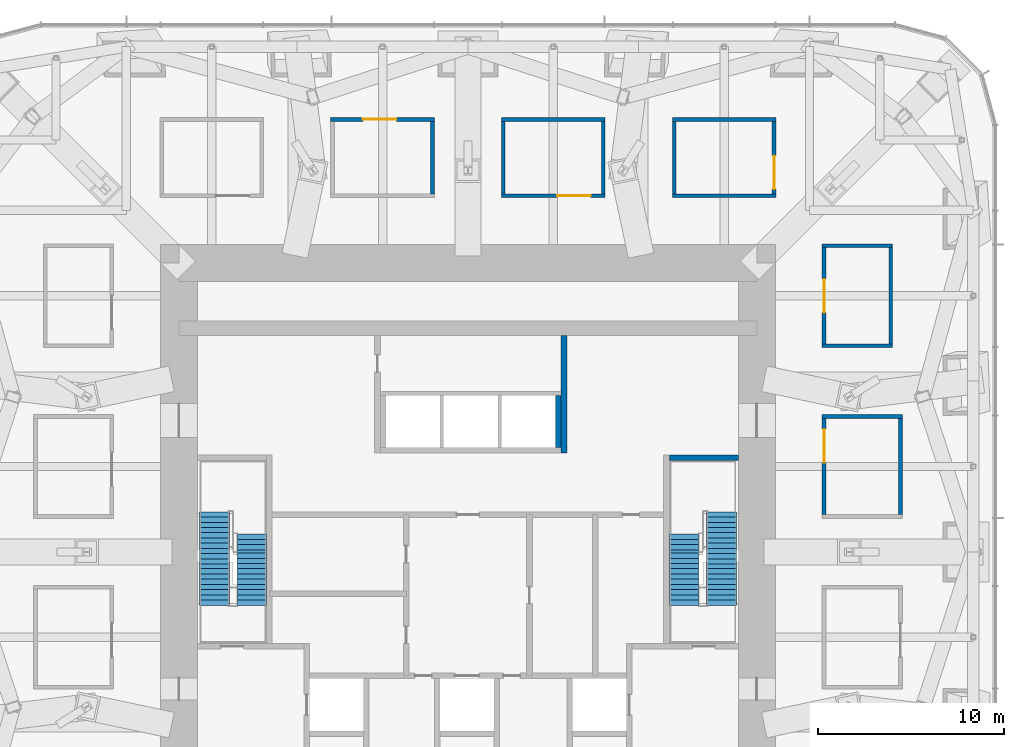
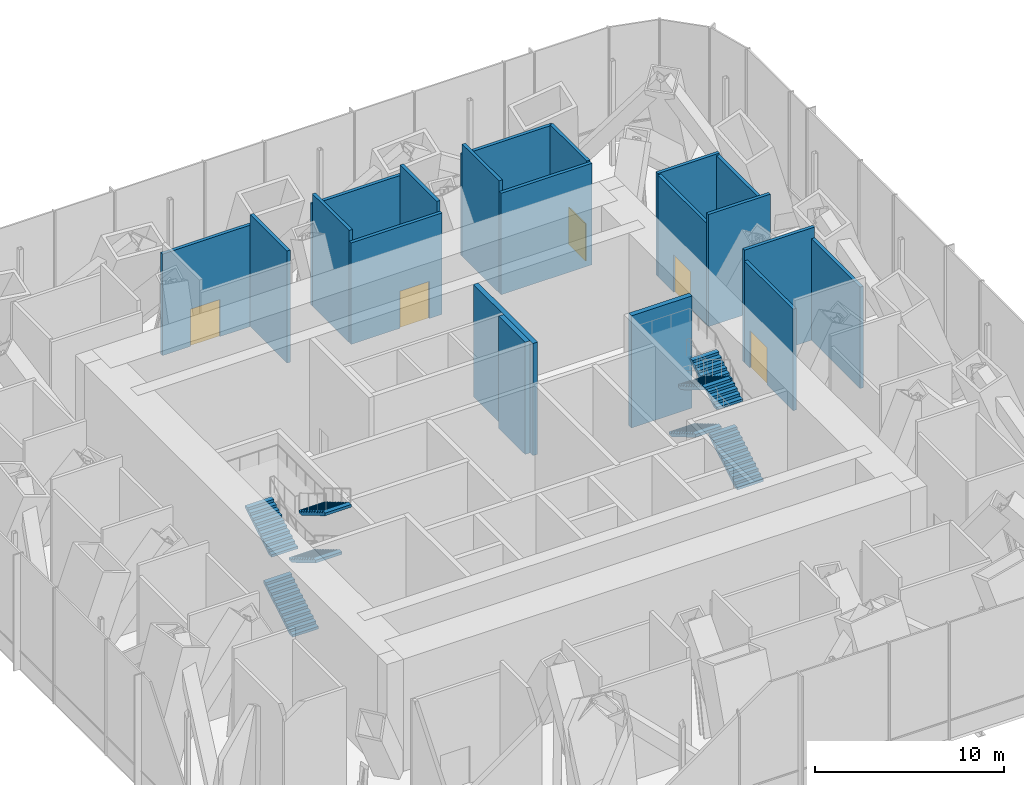
# One storey, part 14 of 16: 20 walls, 8 stair flights, 5 doors, 5 openings, 2 elements without a shape of their own.
"""IFC4 building model written with IfcOpenShell, lengths in metres."""

from ifc_helpers import new_model, si_unit, direction, frame, frame_2d, origin, place, context, subcontext, project, spatial, polyline, rectangle, outline, extrude, material, layer, layer_set, type_object, element, fill, aggregate, save


model = new_model("IFC4")

# Units and contexts
model_context = context("Model", 3, precision=1e-05, world=origin(), true_north=direction((0.0, 1.0)))
body_context = subcontext(model_context, "Body", "Model", "MODEL_VIEW")
ifc_project = project(units=[si_unit("LENGTHUNIT", "METRE"), si_unit("AREAUNIT", "SQUARE_METRE"), si_unit("VOLUMEUNIT", "CUBIC_METRE"), si_unit("PLANEANGLEUNIT", "RADIAN"), si_unit("MASSUNIT", "GRAM", prefix="KILO")], contexts=[model_context])

# Site, building, storey
site_placement = place(None, origin())
site = spatial("IfcSite", under=ifc_project, at=site_placement, CompositionType="ELEMENT")
building_placement = place(site_placement, origin())
building = spatial("IfcBuilding", under=site, at=building_placement, Name="Khuree Lantern Residences", CompositionType="ELEMENT")
storey_placement = place(building_placement, frame((0.0, 0.0, 192.0)))
storey = spatial("IfcBuildingStorey", under=building, at=storey_placement, Name="L48", CompositionType="ELEMENT", Elevation=192.0)

# Walls
ifc_material_1 = material(Name="Dense concrete blockwork", Category="masonry")
ifc_layer_1 = layer(ifc_material_1, 0.300048828125)
ifc_layer_set_1 = layer_set([ifc_layer_1], Name="CORE PARTITION WALL CPW300 EI 120")
wall_type_1 = type_object("IfcWallType", Name="CORE PARTITION WALL CPW300 EI 120", PredefinedType="PARTITIONING", material=ifc_layer_set_1)
wall_1_placement = place(storey_placement, frame((4.85009765625, 5.60009765625, 0.0), z_axis=(0.0, 0.0, 1.0), x_axis=(0.0, 1.0, 0.0)))
element("IfcWall", 1, at=wall_1_placement, inside=storey, type_object=wall_type_1, Name="L48 CORE WALL PHE", PredefinedType="PARTITIONING", context=body_context, shape_type="SweptSolid", body=[
    extrude(rectangle(XDim=2.7998046875, YDim=0.300048828125, at=frame_2d((1.39990234375, 0.0))), origin(), (0.0, 0.0, 1.0), 7.25),
])
wall_2_placement = place(storey_placement, frame((5.14990234375, 5.300048828125, 0.0), z_axis=(0.0, 0.0, 1.0), x_axis=(0.0, 1.0, 0.0)))
element("IfcWall", 2, at=wall_2_placement, inside=storey, type_object=wall_type_1, Name="L48 CORE WALL NE", PredefinedType="PARTITIONING", context=body_context, shape_type="SweptSolid", body=[
    extrude(rectangle(XDim=6.300048828125, YDim=0.300048828125, at=frame_2d((3.14990234375, 0.0))), origin(), (0.0, 0.0, 1.0), 7.25),
])

# Wall, opening, door
ifc_layer_2 = layer(ifc_material_1, 0.199951171875)
ifc_layer_set_2 = layer_set([ifc_layer_2], Name="FIRE-RATED ROOM WALL FRW200 EI 120")
wall_type_2 = type_object("IfcWallType", Name="FIRE-RATED ROOM WALL FRW200 EI 120", PredefinedType="SOLIDWALL", material=ifc_layer_set_2)
wall_3_placement = place(storey_placement, frame((19.10009765625, 2.0, 0.0), z_axis=(0.0, 0.0, 1.0), x_axis=(0.0, 1.0, 0.0)))
wall_3 = element("IfcWall", 3, at=wall_3_placement, inside=storey, type_object=wall_type_2, Name="L48 ROOM WALL 37", PredefinedType="SOLIDWALL", context=body_context, shape_type="SweptSolid", body=[
    extrude(rectangle(XDim=5.159912109375, YDim=0.199951171875, at=frame_2d((2.580078125, 0.0))), origin(), (0.0, 0.0, 1.0), 6.56005859375),
])
opening_1_placement = place(wall_3_placement, frame((2.783935546875, 0.0, 0.0)))
opening_1 = element("IfcOpeningElement", 4, at=opening_1_placement, cuts=wall_3, Name="Opening 48-019", PredefinedType="OPENING", context=body_context, shape_type="SweptSolid", body=[
    extrude(rectangle(XDim=1.800048828125, YDim=2.39990234375, at=frame_2d((0.89990234375, 1.199951171875))), frame((0.0, 0.10986328125, 0.0), z_axis=(0.0, -1.0, 0.0), x_axis=(1.0, 0.0, 0.0)), (0.0, 0.0, 1.0), 0.219970703125),
])
ifc_material_2 = material(Name="Steel door leaf in steel frame", Category="steel")
door_type = type_object("IfcDoorType", Name="PLANT ROOM DOOR 1800X2400 EI 60", OperationType="DOUBLE_DOOR_SINGLE_SWING", PredefinedType="DOOR", material=ifc_material_2)
door_1_placement = place(opening_1_placement, origin())
door_1 = element("IfcDoor", 5, at=door_1_placement, inside=storey, type_object=door_type, Name="Heat exchanger plant room door 48-019", OperationType="DOUBLE_DOOR_SINGLE_SWING", OverallHeight=2.39990234375, OverallWidth=1.800048828125, PredefinedType="DOOR", context=body_context, shape_type="SweptSolid", body=[
    extrude(rectangle(XDim=1.800048828125, YDim=2.39990234375, at=frame_2d((0.89990234375, 1.199951171875))), frame((0.0, 0.02490234375, 0.0), z_axis=(0.0, -1.0, 0.0), x_axis=(1.0, 0.0, 0.0)), (0.0, 0.0, 1.0), 0.050048828125),
])
fill(opening_1, door_1)

# Walls
wall_4_placement = place(storey_placement, frame((23.199951171875, 2.0, 0.0), z_axis=(0.0, 0.0, 1.0), x_axis=(0.0, 1.0, 0.0)))
element("IfcWall", 6, at=wall_4_placement, inside=storey, type_object=wall_type_2, Name="L48 ROOM WALL 38", PredefinedType="SOLIDWALL", context=body_context, shape_type="SweptSolid", body=[
    extrude(rectangle(XDim=5.159912109375, YDim=0.199951171875, at=frame_2d((2.580078125, 0.0))), origin(), (0.0, 0.0, 1.0), 6.56005859375),
])
wall_5_placement = place(storey_placement, frame((19.0, 7.260009765625, 0.0), z_axis=(0.0, 0.0, 1.0), x_axis=(1.0, 0.0, 0.0)))
element("IfcWall", 7, at=wall_5_placement, inside=storey, type_object=wall_type_2, Name="L48 ROOM WALL 40", PredefinedType="SOLIDWALL", context=body_context, shape_type="SweptSolid", body=[
    extrude(rectangle(XDim=4.300048828125, YDim=0.199951171875, at=frame_2d((2.14990234375, 0.0))), origin(), (0.0, 0.0, 1.0), 7.25),
])
wall_6_placement = place(storey_placement, frame((19.0, 11.06005859375, 0.0), z_axis=(0.0, 0.0, 1.0), x_axis=(1.0, 0.0, 0.0)))
element("IfcWall", 8, at=wall_6_placement, inside=storey, type_object=wall_type_2, Name="L48 ROOM WALL 42", PredefinedType="SOLIDWALL", context=body_context, shape_type="SweptSolid", body=[
    extrude(rectangle(XDim=3.780029296875, YDim=0.199951171875, at=frame_2d((1.89013671875, 0.0))), origin(), (0.0, 0.0, 1.0), 7.25),
])

# Wall, opening, door
wall_7_placement = place(storey_placement, frame((19.10009765625, 11.159912109375, 0.0), z_axis=(0.0, 0.0, 1.0), x_axis=(0.0, 1.0, 0.0)))
wall_7 = element("IfcWall", 9, at=wall_7_placement, inside=storey, type_object=wall_type_2, Name="L48 ROOM WALL 45", PredefinedType="SOLIDWALL", context=body_context, shape_type="SweptSolid", body=[
    extrude(rectangle(XDim=5.16015625, YDim=0.199951171875, at=frame_2d((2.580078125, 0.0))), origin(), (0.0, 0.0, 1.0), 6.56005859375),
])
opening_2_placement = place(wall_7_placement, frame((1.677978515625, 0.0, 0.0)))
opening_2 = element("IfcOpeningElement", 10, at=opening_2_placement, cuts=wall_7, Name="Opening 48-021", PredefinedType="OPENING", context=body_context, shape_type="SweptSolid", body=[
    extrude(rectangle(XDim=1.800048828125, YDim=2.39990234375, at=frame_2d((0.89990234375, 1.199951171875))), frame((0.0, 0.10986328125, 0.0), z_axis=(0.0, -1.0, 0.0), x_axis=(1.0, 0.0, 0.0)), (0.0, 0.0, 1.0), 0.219970703125),
])
door_2_placement = place(opening_2_placement, origin())
door_2 = element("IfcDoor", 11, at=door_2_placement, inside=storey, type_object=door_type, Name="Electrical switch room door 48-021", OperationType="DOUBLE_DOOR_SINGLE_SWING", OverallHeight=2.39990234375, OverallWidth=1.800048828125, PredefinedType="DOOR", context=body_context, shape_type="SweptSolid", body=[
    extrude(rectangle(XDim=1.800048828125, YDim=2.39990234375, at=frame_2d((0.89990234375, 1.199951171875))), frame((0.0, 0.02490234375, 0.0), z_axis=(0.0, -1.0, 0.0), x_axis=(1.0, 0.0, 0.0)), (0.0, 0.0, 1.0), 0.050048828125),
])
fill(opening_2, door_2)

# Walls
wall_8_placement = place(storey_placement, frame((22.679931640625, 11.159912109375, 0.0), z_axis=(0.0, 0.0, 1.0), x_axis=(0.0, 1.0, 0.0)))
element("IfcWall", 12, at=wall_8_placement, inside=storey, type_object=wall_type_2, Name="L48 ROOM WALL 46", PredefinedType="SOLIDWALL", context=body_context, shape_type="SweptSolid", body=[
    extrude(rectangle(XDim=5.16015625, YDim=0.199951171875, at=frame_2d((2.580078125, 0.0))), origin(), (0.0, 0.0, 1.0), 6.56005859375),
])
wall_9_placement = place(storey_placement, frame((19.0, 16.419921875, 0.0), z_axis=(0.0, 0.0, 1.0), x_axis=(1.0, 0.0, 0.0)))
element("IfcWall", 13, at=wall_9_placement, inside=storey, type_object=wall_type_2, Name="L48 ROOM WALL 48", PredefinedType="SOLIDWALL", context=body_context, shape_type="SweptSolid", body=[
    extrude(rectangle(XDim=3.780029296875, YDim=0.199951171875, at=frame_2d((1.89013671875, 0.0))), origin(), (0.0, 0.0, 1.0), 6.64990234375),
])

# Wall, opening, door
wall_10_placement = place(storey_placement, frame((1.800048828125, 19.10009765625, 0.0), z_axis=(0.0, 0.0, 1.0), x_axis=(1.0, 0.0, 0.0)))
wall_10 = element("IfcWall", 14, at=wall_10_placement, inside=storey, type_object=wall_type_2, Name="L48 ROOM WALL 51", PredefinedType="SOLIDWALL", context=body_context, shape_type="SweptSolid", body=[
    extrude(rectangle(XDim=5.56005859375, YDim=0.199951171875, at=frame_2d((2.780029296875, 0.0))), origin(), (0.0, 0.0, 1.0), 6.56005859375),
])
opening_3_placement = place(wall_10_placement, frame((2.98388671875, 0.0, 0.0)))
opening_3 = element("IfcOpeningElement", 15, at=opening_3_placement, cuts=wall_10, Name="Opening 48-022", PredefinedType="OPENING", context=body_context, shape_type="SweptSolid", body=[
    extrude(rectangle(XDim=1.800048828125, YDim=2.39990234375, at=frame_2d((0.89990234375, 1.199951171875))), frame((0.0, 0.10986328125, 0.0), z_axis=(0.0, -1.0, 0.0), x_axis=(1.0, 0.0, 0.0)), (0.0, 0.0, 1.0), 0.219970703125),
])
door_3_placement = place(opening_3_placement, origin())
door_3 = element("IfcDoor", 16, at=door_3_placement, inside=storey, type_object=door_type, Name="Pressurisation fan plant room door 48-022", OperationType="DOUBLE_DOOR_SINGLE_SWING", OverallHeight=2.39990234375, OverallWidth=1.800048828125, PredefinedType="DOOR", context=body_context, shape_type="SweptSolid", body=[
    extrude(rectangle(XDim=1.800048828125, YDim=2.39990234375, at=frame_2d((0.89990234375, 1.199951171875))), frame((0.0, 0.02490234375, 0.0), z_axis=(0.0, -1.0, 0.0), x_axis=(1.0, 0.0, 0.0)), (0.0, 0.0, 1.0), 0.050048828125),
])
fill(opening_3, door_3)

# Walls
wall_11_placement = place(storey_placement, frame((10.9599609375, 19.10009765625, 0.0), z_axis=(0.0, 0.0, 1.0), x_axis=(1.0, 0.0, 0.0)))
element("IfcWall", 17, at=wall_11_placement, inside=storey, type_object=wall_type_2, Name="L48 ROOM WALL 52", PredefinedType="SOLIDWALL", context=body_context, shape_type="SweptSolid", body=[
    extrude(rectangle(XDim=5.56005859375, YDim=0.199951171875, at=frame_2d((2.780029296875, 0.0))), origin(), (0.0, 0.0, 1.0), 6.56005859375),
])
for number, where, z_axis, x_axis, name in (
    (18, (-1.89990234375, 19.199951171875, 0.0), (0.0, 0.0, 1.0), (0.0, 1.0, 0.0), "L48 ROOM WALL 56"),
    (19, (1.89990234375, 19.199951171875, 0.0), (0.0, 0.0, 1.0), (0.0, 1.0, 0.0), "L48 ROOM WALL 57"),
    (20, (7.260009765625, 19.199951171875, 0.0), (0.0, 0.0, 1.0), (0.0, 1.0, 0.0), "L48 ROOM WALL 58"),
    (21, (11.06005859375, 19.199951171875, 0.0), (0.0, 0.0, 1.0), (0.0, 1.0, 0.0), "L48 ROOM WALL 59"),
):
    element("IfcWall", number, at=place(storey_placement, frame(where, z_axis=z_axis, x_axis=x_axis)), inside=storey, type_object=wall_type_2, Name=name, PredefinedType="SOLIDWALL", context=body_context, shape_type="SweptSolid", body=[
        extrude(rectangle(XDim=3.900146484375, YDim=0.199951171875, at=frame_2d((1.9501953125, 0.0))), origin(), (0.0, 0.0, 1.0), 7.25),
    ])

# Wall, opening, door
wall_12_placement = place(storey_placement, frame((16.419921875, 19.199951171875, 0.0), z_axis=(0.0, 0.0, 1.0), x_axis=(0.0, 1.0, 0.0)))
wall_12 = element("IfcWall", 22, at=wall_12_placement, inside=storey, type_object=wall_type_2, Name="L48 ROOM WALL 60", PredefinedType="SOLIDWALL", context=body_context, shape_type="SweptSolid", body=[
    extrude(rectangle(XDim=3.900146484375, YDim=0.199951171875, at=frame_2d((1.9501953125, 0.0))), origin(), (0.0, 0.0, 1.0), 6.64990234375),
])
opening_4_placement = place(wall_12_placement, frame((0.261962890625, 0.0, 0.0)))
opening_4 = element("IfcOpeningElement", 23, at=opening_4_placement, cuts=wall_12, Name="Opening 48-024", PredefinedType="OPENING", context=body_context, shape_type="SweptSolid", body=[
    extrude(rectangle(XDim=1.800048828125, YDim=2.39990234375, at=frame_2d((0.89990234375, 1.199951171875))), frame((0.0, 0.10986328125, 0.0), z_axis=(0.0, -1.0, 0.0), x_axis=(1.0, 0.0, 0.0)), (0.0, 0.0, 1.0), 0.219970703125),
])
door_4_placement = place(opening_4_placement, origin())
door_4 = element("IfcDoor", 24, at=door_4_placement, inside=storey, type_object=door_type, Name="Communications plant room door 48-024", OperationType="DOUBLE_DOOR_SINGLE_SWING", OverallHeight=2.39990234375, OverallWidth=1.800048828125, PredefinedType="DOOR", context=body_context, shape_type="SweptSolid", body=[
    extrude(rectangle(XDim=1.800048828125, YDim=2.39990234375, at=frame_2d((0.89990234375, 1.199951171875))), frame((0.0, 0.02490234375, 0.0), z_axis=(0.0, -1.0, 0.0), x_axis=(1.0, 0.0, 0.0)), (0.0, 0.0, 1.0), 0.050048828125),
])
fill(opening_4, door_4)

wall_13_placement = place(storey_placement, frame((-7.360107421875, 23.199951171875, 0.0), z_axis=(0.0, 0.0, 1.0), x_axis=(1.0, 0.0, 0.0)))
wall_13 = element("IfcWall", 25, at=wall_13_placement, inside=storey, type_object=wall_type_2, Name="L48 ROOM WALL 62", PredefinedType="SOLIDWALL", context=body_context, shape_type="SweptSolid", body=[
    extrude(rectangle(XDim=5.56005859375, YDim=0.199951171875, at=frame_2d((2.780029296875, 0.0))), origin(), (0.0, 0.0, 1.0), 6.56005859375),
])
opening_5_placement = place(wall_13_placement, frame((1.721923828125, 0.0, 0.0)))
opening_5 = element("IfcOpeningElement", 26, at=opening_5_placement, cuts=wall_13, Name="Opening 48-023", PredefinedType="OPENING", context=body_context, shape_type="SweptSolid", body=[
    extrude(rectangle(XDim=1.800048828125, YDim=2.39990234375, at=frame_2d((0.89990234375, 1.199951171875))), frame((0.0, 0.10986328125, 0.0), z_axis=(0.0, -1.0, 0.0), x_axis=(1.0, 0.0, 0.0)), (0.0, 0.0, 1.0), 0.219970703125),
])
door_5_placement = place(opening_5_placement, origin())
door_5 = element("IfcDoor", 27, at=door_5_placement, inside=storey, type_object=door_type, Name="AHU plant room door 48-023", OperationType="DOUBLE_DOOR_SINGLE_SWING", OverallHeight=2.39990234375, OverallWidth=1.800048828125, PredefinedType="DOOR", context=body_context, shape_type="SweptSolid", body=[
    extrude(rectangle(XDim=1.800048828125, YDim=2.39990234375, at=frame_2d((0.89990234375, 1.199951171875))), frame((0.0, 0.02490234375, 0.0), z_axis=(0.0, -1.0, 0.0), x_axis=(1.0, 0.0, 0.0)), (0.0, 0.0, 1.0), 0.050048828125),
])
fill(opening_5, door_5)

# Walls
for number, where, z_axis, x_axis, name in (
    (28, (1.800048828125, 23.199951171875, 0.0), (0.0, 0.0, 1.0), (1.0, 0.0, 0.0), "L48 ROOM WALL 63"),
    (29, (10.9599609375, 23.199951171875, 0.0), (0.0, 0.0, 1.0), (1.0, 0.0, 0.0), "L48 ROOM WALL 64"),
):
    element("IfcWall", number, at=place(storey_placement, frame(where, z_axis=z_axis, x_axis=x_axis)), inside=storey, type_object=wall_type_2, Name=name, PredefinedType="SOLIDWALL", context=body_context, shape_type="SweptSolid", body=[
        extrude(rectangle(XDim=5.56005859375, YDim=0.199951171875, at=frame_2d((2.780029296875, 0.0))), origin(), (0.0, 0.0, 1.0), 6.56005859375),
    ])
ifc_material_3 = material(Name="Concrete C50/60", Category="concrete")
ifc_layer_3 = layer(ifc_material_3, 0.300048828125)
ifc_layer_set_3 = layer_set([ifc_layer_3], Name="STAIR WALL SRW300 C50/60 REI 240")
wall_type_3 = type_object("IfcWallType", Name="STAIR WALL SRW300 C50/60 REI 240", PredefinedType="SOLIDWALL", material=ifc_layer_set_3)
wall_14_placement = place(storey_placement, frame((14.5, 5.050048828125, 0.0), z_axis=(0.0, 0.0, 1.0), x_axis=(-1.0, 0.0, 0.0)))
element("IfcWall", 30, at=wall_14_placement, inside=storey, type_object=wall_type_3, Name="L48 STAIR WALL ST2N", PredefinedType="SOLIDWALL", context=body_context, shape_type="SweptSolid", body=[
    extrude(rectangle(XDim=3.699951171875, YDim=0.300048828125, at=frame_2d((1.85009765625, 0.0))), origin(), (0.0, 0.0, 1.0), 7.25),
])

# Stair, stair flights
ifc_material_4 = material(Name="Concrete C40/50", Category="concrete")
stair_type = type_object("IfcStairType", Name="STAIR ST1 HALF TURN 3600", PredefinedType="HALF_TURN_STAIR", material=ifc_material_4)
stair_1_placement = place(storey_placement, origin())
stair_1 = element("IfcStair", 31, at=stair_1_placement, inside=storey, type_object=stair_type, Name="Stair ST1", PredefinedType="HALF_TURN_STAIR")
stair_flight_type = type_object("IfcStairFlightType", Name="STAIR FLIGHT SF1 1600", PredefinedType="STRAIGHT", material=ifc_material_4)
stair_flight_1_placement = place(storey_placement, frame((-13.60009765625, -2.860107421875, 0.0), z_axis=(0.0, 0.0, 1.0), x_axis=(0.0, 1.0, 0.0)))
stair_flight_1 = element("IfcStairFlight", 32, at=stair_flight_1_placement, type_object=stair_flight_type, Name="ST1 flight 1", NumberOfRisers=12, NumberOfTreads=11, PredefinedType="STRAIGHT", RiserHeight=0.166666667, TreadLength=0.28, context=body_context, shape_type="SweptSolid", body=[
    extrude(outline(polyline([(0.0, 0.0), (0.0, 0.166748046875), (0.280029296875, 0.166748046875), (0.280029296875, 0.333251953125), (0.56005859375, 0.333251953125), (0.56005859375, 0.5), (0.840087890625, 0.5), (0.840087890625, 0.666748046875), (1.1201171875, 0.666748046875), (1.1201171875, 0.833251953125), (1.39990234375, 0.833251953125), (1.39990234375, 1.0), (1.679931640625, 1.0), (1.679931640625, 1.166748046875), (1.9599609375, 1.166748046875), (1.9599609375, 1.333251953125), (2.239990234375, 1.333251953125), (2.239990234375, 1.5), (2.52001953125, 1.5), (2.52001953125, 1.666748046875), (2.800048828125, 1.666748046875), (2.800048828125, 1.833251953125), (3.080078125, 1.833251953125), (3.080078125, 2.0), (3.080078125, 1.658935546875), (0.29296875, 0.0), (0.0, 0.0)])), frame((0.0, 0.800048828125, 0.0), z_axis=(0.0, -1.0, 0.0), x_axis=(1.0, 0.0, 0.0)), (0.0, 0.0, 1.0), 1.60009765625),
])
stair_flight_2_placement = place(storey_placement, frame((-11.60009765625, 0.949951171875, 2.0), z_axis=(0.0, 0.0, 1.0), x_axis=(0.0, -1.0, 0.0)))
stair_flight_2 = element("IfcStairFlight", 33, at=stair_flight_2_placement, type_object=stair_flight_type, Name="ST1 flight 2", NumberOfRisers=11, NumberOfTreads=10, PredefinedType="STRAIGHT", RiserHeight=0.166666667, TreadLength=0.28, context=body_context, shape_type="SweptSolid", body=[
    extrude(outline(polyline([(0.0, 0.0), (0.0, 0.166748046875), (0.280029296875, 0.166748046875), (0.280029296875, 0.333251953125), (0.56005859375, 0.333251953125), (0.56005859375, 0.5), (0.840087890625, 0.5), (0.840087890625, 0.666748046875), (1.1201171875, 0.666748046875), (1.1201171875, 0.833251953125), (1.39990234375, 0.833251953125), (1.39990234375, 1.0), (1.679931640625, 1.0), (1.679931640625, 1.166748046875), (1.9599609375, 1.166748046875), (1.9599609375, 1.333251953125), (2.239990234375, 1.333251953125), (2.239990234375, 1.5), (2.52001953125, 1.5), (2.52001953125, 1.666748046875), (2.800048828125, 1.666748046875), (2.800048828125, 1.833251953125), (2.800048828125, 1.4921875), (0.29296875, 0.0), (0.0, 0.0)])), frame((0.0, 0.800048828125, 0.0), z_axis=(0.0, -1.0, 0.0), x_axis=(1.0, 0.0, 0.0)), (0.0, 0.0, 1.0), 1.60009765625),
])
stair_flight_3_placement = place(storey_placement, frame((-13.60009765625, -0.64990234375, 3.833251953125), z_axis=(0.0, 0.0, 1.0), x_axis=(0.0, 1.0, 0.0)))
stair_flight_3 = element("IfcStairFlight", 34, at=stair_flight_3_placement, type_object=stair_flight_type, Name="ST1 flight 3", NumberOfRisers=11, NumberOfTreads=10, PredefinedType="STRAIGHT", RiserHeight=0.166666667, TreadLength=0.28, context=body_context, shape_type="SweptSolid", body=[
    extrude(outline(polyline([(0.0, 0.0), (0.0, 0.166748046875), (0.280029296875, 0.166748046875), (0.280029296875, 0.333251953125), (0.56005859375, 0.333251953125), (0.56005859375, 0.5), (0.840087890625, 0.5), (0.840087890625, 0.666748046875), (1.1201171875, 0.666748046875), (1.1201171875, 0.833251953125), (1.39990234375, 0.833251953125), (1.39990234375, 1.0), (1.679931640625, 1.0), (1.679931640625, 1.166748046875), (1.9599609375, 1.166748046875), (1.9599609375, 1.333251953125), (2.239990234375, 1.333251953125), (2.239990234375, 1.5), (2.52001953125, 1.5), (2.52001953125, 1.666748046875), (2.800048828125, 1.666748046875), (2.800048828125, 1.833251953125), (2.800048828125, 1.4921875), (0.29296875, 0.0), (0.0, 0.0)])), frame((0.0, 0.800048828125, 0.0), z_axis=(0.0, -1.0, 0.0), x_axis=(1.0, 0.0, 0.0)), (0.0, 0.0, 1.0), 1.60009765625),
])
stair_flight_4_placement = place(storey_placement, frame((-11.60009765625, -0.06005859375, 5.666748046875), z_axis=(0.0, 0.0, 1.0), x_axis=(0.0, -1.0, 0.0)))
stair_flight_4 = element("IfcStairFlight", 35, at=stair_flight_4_placement, type_object=stair_flight_type, Name="ST1 flight 4", NumberOfRisers=11, NumberOfTreads=10, PredefinedType="STRAIGHT", RiserHeight=0.166666667, TreadLength=0.28, context=body_context, shape_type="SweptSolid", body=[
    extrude(outline(polyline([(0.0, 0.0), (0.0, 0.166748046875), (0.280029296875, 0.166748046875), (0.280029296875, 0.333251953125), (0.56005859375, 0.333251953125), (0.56005859375, 0.5), (0.840087890625, 0.5), (0.840087890625, 0.666748046875), (1.1201171875, 0.666748046875), (1.1201171875, 0.833251953125), (1.39990234375, 0.833251953125), (1.39990234375, 1.0), (1.679931640625, 1.0), (1.679931640625, 1.166748046875), (1.9599609375, 1.166748046875), (1.9599609375, 1.333251953125), (2.239990234375, 1.333251953125), (2.239990234375, 1.5), (2.52001953125, 1.5), (2.52001953125, 1.666748046875), (2.800048828125, 1.666748046875), (2.800048828125, 1.833251953125), (2.800048828125, 1.4921875), (0.29296875, 0.0), (0.0, 0.0)])), frame((0.0, 0.800048828125, 0.0), z_axis=(0.0, -1.0, 0.0), x_axis=(1.0, 0.0, 0.0)), (0.0, 0.0, 1.0), 1.60009765625),
])
aggregate(stair_1, [stair_flight_1, stair_flight_2, stair_flight_3, stair_flight_4])

stair_2_placement = place(storey_placement, origin())
stair_2 = element("IfcStair", 36, at=stair_2_placement, inside=storey, type_object=stair_type, Name="Stair ST2", PredefinedType="HALF_TURN_STAIR")
stair_flight_5_placement = place(storey_placement, frame((13.60009765625, -2.860107421875, 0.0), z_axis=(0.0, 0.0, 1.0), x_axis=(0.0, 1.0, 0.0)))
stair_flight_5 = element("IfcStairFlight", 37, at=stair_flight_5_placement, type_object=stair_flight_type, Name="ST2 flight 1", NumberOfRisers=12, NumberOfTreads=11, PredefinedType="STRAIGHT", RiserHeight=0.166666667, TreadLength=0.28, context=body_context, shape_type="SweptSolid", body=[
    extrude(outline(polyline([(0.0, 0.0), (0.0, 0.166748046875), (0.280029296875, 0.166748046875), (0.280029296875, 0.333251953125), (0.56005859375, 0.333251953125), (0.56005859375, 0.5), (0.840087890625, 0.5), (0.840087890625, 0.666748046875), (1.1201171875, 0.666748046875), (1.1201171875, 0.833251953125), (1.39990234375, 0.833251953125), (1.39990234375, 1.0), (1.679931640625, 1.0), (1.679931640625, 1.166748046875), (1.9599609375, 1.166748046875), (1.9599609375, 1.333251953125), (2.239990234375, 1.333251953125), (2.239990234375, 1.5), (2.52001953125, 1.5), (2.52001953125, 1.666748046875), (2.800048828125, 1.666748046875), (2.800048828125, 1.833251953125), (3.080078125, 1.833251953125), (3.080078125, 2.0), (3.080078125, 1.658935546875), (0.29296875, 0.0), (0.0, 0.0)])), frame((0.0, 0.800048828125, 0.0), z_axis=(0.0, -1.0, 0.0), x_axis=(1.0, 0.0, 0.0)), (0.0, 0.0, 1.0), 1.60009765625),
])
stair_flight_6_placement = place(storey_placement, frame((11.60009765625, 0.949951171875, 2.0), z_axis=(0.0, 0.0, 1.0), x_axis=(0.0, -1.0, 0.0)))
stair_flight_6 = element("IfcStairFlight", 38, at=stair_flight_6_placement, type_object=stair_flight_type, Name="ST2 flight 2", NumberOfRisers=11, NumberOfTreads=10, PredefinedType="STRAIGHT", RiserHeight=0.166666667, TreadLength=0.28, context=body_context, shape_type="SweptSolid", body=[
    extrude(outline(polyline([(0.0, 0.0), (0.0, 0.166748046875), (0.280029296875, 0.166748046875), (0.280029296875, 0.333251953125), (0.56005859375, 0.333251953125), (0.56005859375, 0.5), (0.840087890625, 0.5), (0.840087890625, 0.666748046875), (1.1201171875, 0.666748046875), (1.1201171875, 0.833251953125), (1.39990234375, 0.833251953125), (1.39990234375, 1.0), (1.679931640625, 1.0), (1.679931640625, 1.166748046875), (1.9599609375, 1.166748046875), (1.9599609375, 1.333251953125), (2.239990234375, 1.333251953125), (2.239990234375, 1.5), (2.52001953125, 1.5), (2.52001953125, 1.666748046875), (2.800048828125, 1.666748046875), (2.800048828125, 1.833251953125), (2.800048828125, 1.4921875), (0.29296875, 0.0), (0.0, 0.0)])), frame((0.0, 0.800048828125, 0.0), z_axis=(0.0, -1.0, 0.0), x_axis=(1.0, 0.0, 0.0)), (0.0, 0.0, 1.0), 1.60009765625),
])
stair_flight_7_placement = place(storey_placement, frame((13.60009765625, -0.64990234375, 3.833251953125), z_axis=(0.0, 0.0, 1.0), x_axis=(0.0, 1.0, 0.0)))
stair_flight_7 = element("IfcStairFlight", 39, at=stair_flight_7_placement, type_object=stair_flight_type, Name="ST2 flight 3", NumberOfRisers=11, NumberOfTreads=10, PredefinedType="STRAIGHT", RiserHeight=0.166666667, TreadLength=0.28, context=body_context, shape_type="SweptSolid", body=[
    extrude(outline(polyline([(0.0, 0.0), (0.0, 0.166748046875), (0.280029296875, 0.166748046875), (0.280029296875, 0.333251953125), (0.56005859375, 0.333251953125), (0.56005859375, 0.5), (0.840087890625, 0.5), (0.840087890625, 0.666748046875), (1.1201171875, 0.666748046875), (1.1201171875, 0.833251953125), (1.39990234375, 0.833251953125), (1.39990234375, 1.0), (1.679931640625, 1.0), (1.679931640625, 1.166748046875), (1.9599609375, 1.166748046875), (1.9599609375, 1.333251953125), (2.239990234375, 1.333251953125), (2.239990234375, 1.5), (2.52001953125, 1.5), (2.52001953125, 1.666748046875), (2.800048828125, 1.666748046875), (2.800048828125, 1.833251953125), (2.800048828125, 1.4921875), (0.29296875, 0.0), (0.0, 0.0)])), frame((0.0, 0.800048828125, 0.0), z_axis=(0.0, -1.0, 0.0), x_axis=(1.0, 0.0, 0.0)), (0.0, 0.0, 1.0), 1.60009765625),
])
stair_flight_8_placement = place(storey_placement, frame((11.60009765625, -0.06005859375, 5.666748046875), z_axis=(0.0, 0.0, 1.0), x_axis=(0.0, -1.0, 0.0)))
stair_flight_8 = element("IfcStairFlight", 40, at=stair_flight_8_placement, type_object=stair_flight_type, Name="ST2 flight 4", NumberOfRisers=11, NumberOfTreads=10, PredefinedType="STRAIGHT", RiserHeight=0.166666667, TreadLength=0.28, context=body_context, shape_type="SweptSolid", body=[
    extrude(outline(polyline([(0.0, 0.0), (0.0, 0.166748046875), (0.280029296875, 0.166748046875), (0.280029296875, 0.333251953125), (0.56005859375, 0.333251953125), (0.56005859375, 0.5), (0.840087890625, 0.5), (0.840087890625, 0.666748046875), (1.1201171875, 0.666748046875), (1.1201171875, 0.833251953125), (1.39990234375, 0.833251953125), (1.39990234375, 1.0), (1.679931640625, 1.0), (1.679931640625, 1.166748046875), (1.9599609375, 1.166748046875), (1.9599609375, 1.333251953125), (2.239990234375, 1.333251953125), (2.239990234375, 1.5), (2.52001953125, 1.5), (2.52001953125, 1.666748046875), (2.800048828125, 1.666748046875), (2.800048828125, 1.833251953125), (2.800048828125, 1.4921875), (0.29296875, 0.0), (0.0, 0.0)])), frame((0.0, 0.800048828125, 0.0), z_axis=(0.0, -1.0, 0.0), x_axis=(1.0, 0.0, 0.0)), (0.0, 0.0, 1.0), 1.60009765625),
])
aggregate(stair_2, [stair_flight_5, stair_flight_6, stair_flight_7, stair_flight_8])

save(model, "model.ifc")
